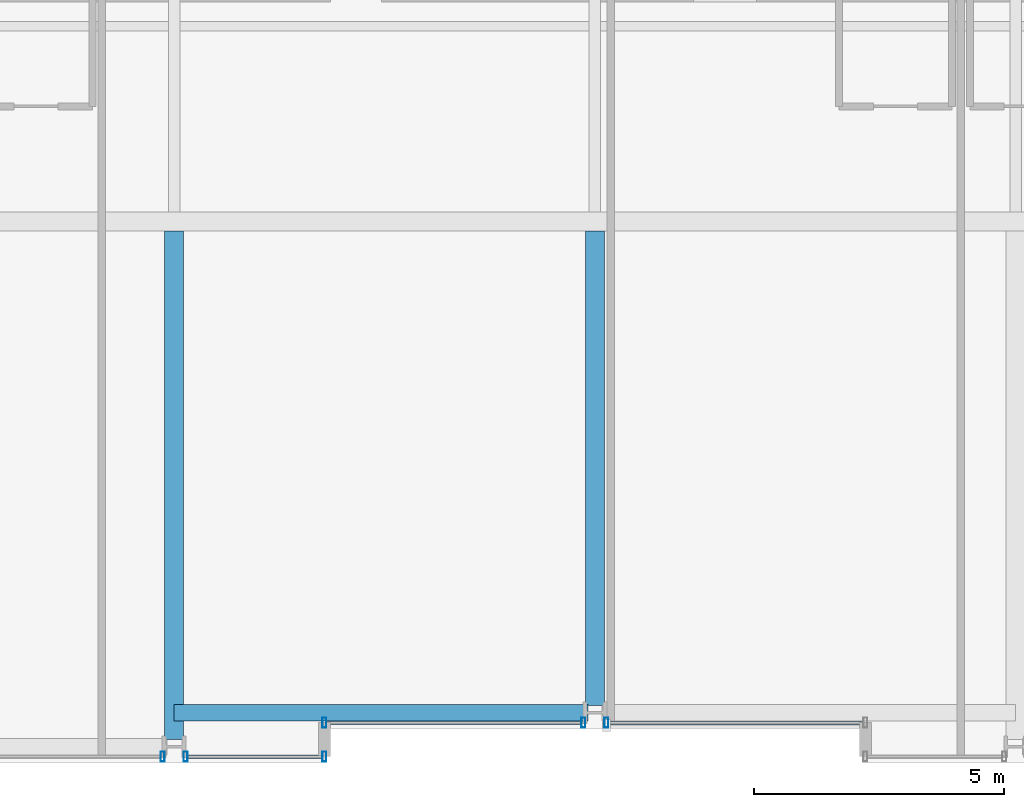
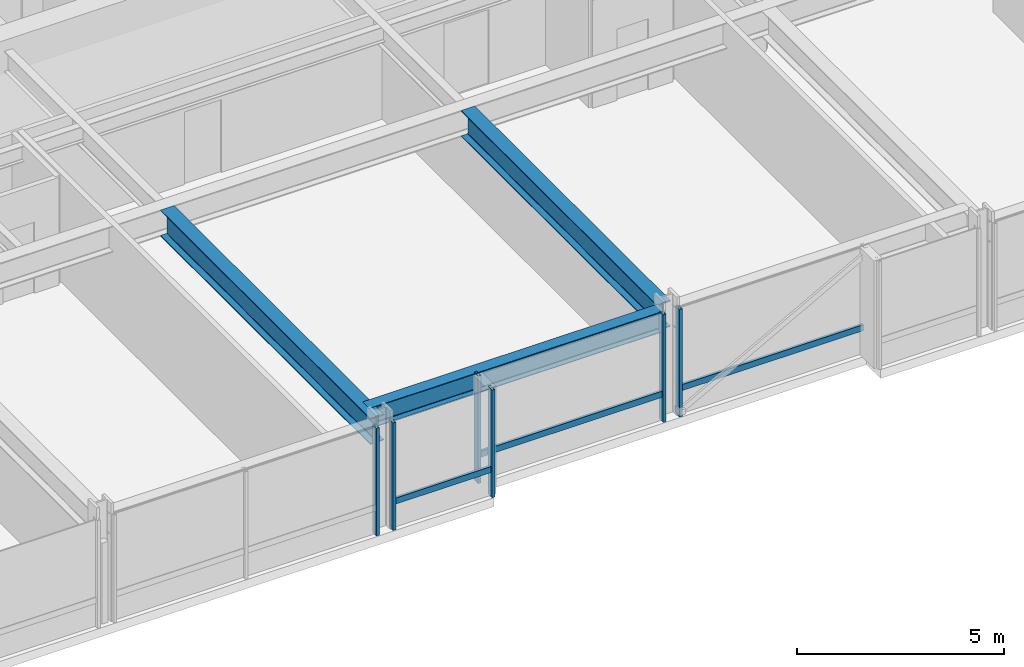
# One storey, part 5 of 37: 9 members, 3 beams, 4 elements without a shape of their own.
"""IFC4 building model written with IfcOpenShell, lengths in metres."""

import ifcopenshell
import ifcopenshell.guid

model = None  # the IFC model being written
_history = None  # IfcOwnerHistory: only IFC2X3 demands one
_inside = {}  # id of a spatial element -> (the spatial element, [elements in it])
_under = {}  # id of a project, library or spatial element -> (it, [spatial elements below it])
_declared = {}  # id of a project -> (the project, [libraries it declares])
_typed = {}  # id of a type object -> (the type object, [elements of that type])
_made_of = {}  # id of a material, layer set ... -> (it, [elements and type objects made of it])


def new_model(schema):
    """Start an empty IFC model of exactly this schema.

    Asked for "IFC4X3", IfcOpenShell would pick the latest addendum, in which some entities
    have other attributes; the version numbers below select the first issue.
    IFC2X3 requires an IfcOwnerHistory on every rooted entity: one is made here for all.
    """
    global model, _history
    if schema == "IFC4X3":
        model = ifcopenshell.file(schema_version=(4, 3, 0, 0))
    else:
        model = ifcopenshell.file(schema=schema)
    _inside.clear()
    _under.clear()
    _declared.clear()
    _typed.clear()
    _made_of.clear()
    _history = None
    if model.schema == "IFC2X3":
        org = make("IfcOrganization", Name="unknown")
        user = make(
            "IfcPersonAndOrganization",
            ThePerson=make("IfcPerson", FamilyName="unknown"),
            TheOrganization=org,
        )
        app = make(
            "IfcApplication",
            ApplicationDeveloper=org,
            Version="unknown",
            ApplicationFullName="unknown",
            ApplicationIdentifier="unknown",
        )
        _history = make(
            "IfcOwnerHistory",
            OwningUser=user,
            OwningApplication=app,
            ChangeAction="ADDED",
            CreationDate=0,
        )
    return model


def make(cls, **values):
    """One entity of the class cls with the attributes given. An attribute that is None is left unset."""
    return model.create_entity(
        cls, **{name: value for name, value in values.items() if value is not None}
    )


def rooted(cls, **values):
    """An entity with a GlobalId (a new one), such as an element, a storey or a relation."""
    return make(cls, GlobalId=ifcopenshell.guid.new(), OwnerHistory=_history, **values)


def si_unit(unit_type, name, prefix=None):
    """IfcSIUnit, for example si_unit("LENGTHUNIT", "METRE", prefix="MILLI")."""
    return make("IfcSIUnit", UnitType=unit_type, Prefix=prefix, Name=name)


def assignment(units):
    """IfcUnitAssignment: the units of a project."""
    return None if units is None else make("IfcUnitAssignment", Units=units)


def point(xyz):
    """IfcCartesianPoint."""
    return None if xyz is None else make("IfcCartesianPoint", Coordinates=xyz)


def direction(xyz):
    """IfcDirection."""
    return None if xyz is None else make("IfcDirection", DirectionRatios=xyz)


def frame(location, z_axis=None, x_axis=None):
    """IfcAxis2Placement3D, a coordinate frame: its origin and axes. An axis left out is left unset."""
    return make(
        "IfcAxis2Placement3D",
        Location=point(location),
        Axis=direction(z_axis),
        RefDirection=direction(x_axis),
    )


def frame_2d(location, x_axis=None):
    """IfcAxis2Placement2D, a coordinate frame in the plane: its origin and x axis."""
    return make(
        "IfcAxis2Placement2D", Location=point(location), RefDirection=direction(x_axis)
    )


def origin():
    """The frame at (0, 0, 0) with its axes left unset."""
    return frame((0.0, 0.0, 0.0))


def origin_2d():
    """The frame at (0, 0) in the plane with its x axis left unset."""
    return frame_2d((0.0, 0.0))


def place(relative_to, where):
    """IfcLocalPlacement: puts the frame where relative to a parent placement (None: the world)."""
    return make(
        "IfcLocalPlacement", PlacementRelTo=relative_to, RelativePlacement=where
    )


def context(
    kind, dimensions, precision=None, world=None, true_north=None, identifier=None
):
    """IfcGeometricRepresentationContext, for example the 3D "Model" context."""
    return make(
        "IfcGeometricRepresentationContext",
        ContextIdentifier=identifier,
        ContextType=kind,
        CoordinateSpaceDimension=dimensions,
        Precision=precision,
        WorldCoordinateSystem=world,
        TrueNorth=true_north,
    )


def subcontext(parent, identifier, kind, view, scale=None):
    """IfcGeometricRepresentationSubContext, for example "Body" below "Model"."""
    return make(
        "IfcGeometricRepresentationSubContext",
        ContextIdentifier=identifier,
        ContextType=kind,
        ParentContext=parent,
        TargetScale=scale,
        TargetView=view,
    )


def project(units=None, contexts=None):
    """IfcProject with its units and contexts."""
    return rooted(
        "IfcProject",
        Name="project",
        RepresentationContexts=contexts,
        UnitsInContext=assignment(units),
    )


def spatial(cls, under=None, at=None, **own):
    """A site, building, storey or space (cls), placed at a placement, below another one or the project."""
    s = rooted(cls, ObjectPlacement=at, **own)
    if under is not None:
        _under.setdefault(under.id(), (under, []))[1].append(s)
    return s


def profile(cls, at=None, kind="AREA", **sizes):
    """A parametric profile (cls). Its sizes go by their IFC names, for example OverallWidth=200.0."""
    return make(cls, ProfileType=kind, Position=at, **sizes)


def hollow_rectangle(**sizes):
    """IfcRectangleHollowProfileDef."""
    return profile("IfcRectangleHollowProfileDef", **sizes)


def i_section(**sizes):
    """IfcIShapeProfileDef."""
    return profile("IfcIShapeProfileDef", **sizes)


def extrude(swept, where, along, depth):
    """IfcExtrudedAreaSolid: the profile swept, set in the frame where, extruded along a direction by depth."""
    return make(
        "IfcExtrudedAreaSolid",
        SweptArea=swept,
        Position=where,
        ExtrudedDirection=direction(along),
        Depth=depth,
    )


def shape(context_of_items, identifier, shape_type, items):
    """IfcShapeRepresentation: the items that make up one representation, for example the "Body"."""
    return make(
        "IfcShapeRepresentation",
        ContextOfItems=context_of_items,
        RepresentationIdentifier=identifier,
        RepresentationType=shape_type,
        Items=items,
    )


def material(Name=None, Category=None):
    """IfcMaterial."""
    return make("IfcMaterial", Name=Name, Category=Category)


def layer(
    of_material, thickness, ventilated=None, Name=None, Category=None, Priority=None
):
    """IfcMaterialLayer: one layer of a wall or slab, of a material (None: an air gap)."""
    return make(
        "IfcMaterialLayer",
        Material=of_material,
        LayerThickness=thickness,
        IsVentilated=ventilated,
        Name=Name,
        Category=Category,
        Priority=Priority,
    )


def layer_set(layers, Name=None):
    """IfcMaterialLayerSet."""
    return make("IfcMaterialLayerSet", MaterialLayers=layers, LayerSetName=Name)


def material_profile(
    of_material, cross_section, Name=None, Category=None, Priority=None
):
    """IfcMaterialProfile: a cross section and its material."""
    return make(
        "IfcMaterialProfile",
        Name=Name,
        Material=of_material,
        Profile=cross_section,
        Priority=Priority,
        Category=Category,
    )


def profile_set(profiles, Name=None, composite=None):
    """IfcMaterialProfileSet."""
    return make(
        "IfcMaterialProfileSet",
        Name=Name,
        MaterialProfiles=profiles,
        CompositeProfile=composite,
    )


def made_of(thing, what):
    """Note that an element or type object is made of a material, layer set ...; save() writes the relation."""
    if what is not None:
        _made_of.setdefault(what.id(), (what, []))[1].append(thing)
    return thing


def type_object(cls, material=None, **own):
    """A type object (cls), such as IfcWallType, which elements share."""
    return made_of(rooted(cls, **own), material)


def element(
    cls,
    number,
    at=None,
    inside=None,
    cuts=None,
    type_object=None,
    material=None,
    context=None,
    identifier="Body",
    shape_type=None,
    held_by="IfcProductDefinitionShape",
    body=None,
    shapes=None,
    **own,
):
    """One element of the class cls, such as IfcWall. Its Tag is "e" and its number.

    at: its placement. inside: the storey or other place that contains it. cuts: it is an
    opening in that element (IfcRelVoidsElement). A single representation is given by context,
    identifier, shape_type and body (its items); several are given by shapes. held_by: the class
    of the entity that holds the representations. save() writes the other relations.
    """
    e = rooted(cls, Tag="e%d" % number, ObjectPlacement=at, **own)
    if body is not None:
        shapes = [shape(context, identifier, shape_type, body)]
    if shapes is not None:
        e.Representation = make(held_by, Representations=shapes)
    if inside is not None:
        _inside.setdefault(inside.id(), (inside, []))[1].append(e)
    if cuts is not None:
        rooted(
            "IfcRelVoidsElement", RelatingBuildingElement=cuts, RelatedOpeningElement=e
        )
    if type_object is not None:
        _typed.setdefault(type_object.id(), (type_object, []))[1].append(e)
    return made_of(e, material)


def aggregate(whole, parts):
    """IfcRelAggregates: a whole, such as a stair, and the parts it consists of."""
    return rooted("IfcRelAggregates", RelatingObject=whole, RelatedObjects=parts)


def save(model, path):
    """Write the relations noted so far, then the file.

    IfcRelAggregates (storeys below a building ...), IfcRelContainedInSpatialStructure (elements
    in a storey), IfcRelDefinesByType, IfcRelAssociatesMaterial and IfcRelDeclares: one each for
    every whole, place, type object, material and project.
    """
    for whole, parts in _under.values():
        aggregate(whole, parts)
    for where, things in _inside.values():
        rooted(
            "IfcRelContainedInSpatialStructure",
            RelatedElements=things,
            RelatingStructure=where,
        )
    for kind, things in _typed.values():
        rooted("IfcRelDefinesByType", RelatedObjects=things, RelatingType=kind)
    for what, things in _made_of.values():
        rooted("IfcRelAssociatesMaterial", RelatedObjects=things, RelatingMaterial=what)
    for by, libraries in _declared.values():
        rooted("IfcRelDeclares", RelatingContext=by, RelatedDefinitions=libraries)
    model.write(path)


model = new_model("IFC4")

# Units and contexts
model_context = context("Model", 3, precision=1e-05, world=origin(), true_north=direction((0.0, 1.0)))
body_context = subcontext(model_context, "Body", "Model", "MODEL_VIEW")
ifc_project = project(units=[si_unit("LENGTHUNIT", "METRE"), si_unit("AREAUNIT", "SQUARE_METRE"), si_unit("VOLUMEUNIT", "CUBIC_METRE"), si_unit("PLANEANGLEUNIT", "RADIAN"), si_unit("MASSUNIT", "GRAM", prefix="KILO")], contexts=[model_context])

# Site, building, storey
site_placement = place(None, origin())
site = spatial("IfcSite", under=ifc_project, at=site_placement, CompositionType="ELEMENT")
building_placement = place(site_placement, origin())
building = spatial("IfcBuilding", under=site, at=building_placement, Name="Drelvath Grand Hotel", CompositionType="ELEMENT")
storey_placement = place(building_placement, frame((0.0, 0.0, 78.699951171875)))
storey = spatial("IfcBuildingStorey", under=building, at=storey_placement, Name="L19", CompositionType="ELEMENT", Elevation=78.699951171875)

# Curtain wall, member
ifc_material_1 = material(Name="Warm Bronze Anodised Aluminium Frame", Category="aluminium")
ifc_layer = layer(ifc_material_1, 0.199951171875)
ifc_layer_set = layer_set([ifc_layer], Name="Warm Bronze Anodised Aluminium Frame")
curtain_wall_type = type_object("IfcCurtainWallType", Name="Stick Curtain Wall CW-02 Warm Bronze Low-Rise", PredefinedType="NOTDEFINED", material=ifc_layer_set)
curtain_wall_1_placement = place(storey_placement, origin())
curtain_wall_1 = element("IfcCurtainWall", 1, at=curtain_wall_1_placement, inside=storey, type_object=curtain_wall_type, Name="L19 CW-02 Curtain Wall CW02-L19-SM1", PredefinedType="NOTDEFINED")
ifc_material_profile_1 = material_profile(ifc_material_1, hollow_rectangle(XDim=0.074951171875, YDim=0.179931640625, WallThickness=0.0048828125, at=origin_2d()), Name="HSS180X75X5")
ifc_profile_set_1 = profile_set([ifc_material_profile_1], Name="Warm Bronze Anodised Aluminium Frame")
member_type_1 = type_object("IfcMemberType", Name="Curtain Wall Horizontal Transom CW-02 HSS180X75X5", PredefinedType="USERDEFINED", material=ifc_profile_set_1)
member_1_placement = place(storey_placement, frame((-0.26904296875, 0.800048828125, 0.795166015625), z_axis=(-1.0, 0.0, 0.0), x_axis=(0.0, -1.0, 0.0)))
member_1 = element("IfcMember", 2, at=member_1_placement, type_object=member_type_1, Name="CW02-L19-SM1 Sill Transom", ObjectType="TRANSOM", PredefinedType="USERDEFINED", context=body_context, shape_type="SweptSolid", body=[
    extrude(hollow_rectangle(XDim=0.074951171875, YDim=0.179931640625, WallThickness=0.0048828125, at=origin_2d()), origin(), (0.0, 0.0, 1.0), 5.091064453125),
])

curtain_wall_2_placement = place(storey_placement, origin())
curtain_wall_2 = element("IfcCurtainWall", 3, at=curtain_wall_2_placement, inside=storey, type_object=curtain_wall_type, Name="L19 CW-02 Curtain Wall CW02-L19-SM2", PredefinedType="NOTDEFINED")
member_2_placement = place(storey_placement, frame((5.360107421875, 0.800048828125, 0.795166015625), z_axis=(-1.0, 0.0, 0.0), x_axis=(0.0, -1.0, 0.0)))
member_2 = element("IfcMember", 4, at=member_2_placement, type_object=member_type_1, Name="CW02-L19-SM2 Sill Transom", ObjectType="TRANSOM", PredefinedType="USERDEFINED", context=body_context, shape_type="SweptSolid", body=[
    extrude(hollow_rectangle(XDim=0.074951171875, YDim=0.179931640625, WallThickness=0.0048828125, at=origin_2d()), origin(), (0.0, 0.0, 1.0), 5.091064453125),
])

curtain_wall_3_placement = place(storey_placement, origin())
curtain_wall_3 = element("IfcCurtainWall", 5, at=curtain_wall_3_placement, inside=storey, type_object=curtain_wall_type, Name="L19 CW-02 Curtain Wall CW02-L19-SW3", PredefinedType="NOTDEFINED")
member_3_placement = place(storey_placement, frame((-5.43994140625, 0.1201171875, 0.795166015625), z_axis=(-1.0, 0.0, 0.0), x_axis=(0.0, -1.0, 0.0)))
member_3 = element("IfcMember", 6, at=member_3_placement, type_object=member_type_1, Name="CW02-L19-SW3 Sill Transom", ObjectType="TRANSOM", PredefinedType="USERDEFINED", context=body_context, shape_type="SweptSolid", body=[
    extrude(hollow_rectangle(XDim=0.074951171875, YDim=0.179931640625, WallThickness=0.0048828125, at=origin_2d()), origin(), (0.0, 0.0, 1.0), 2.69091796875),
])

# Member
ifc_material_profile_2 = material_profile(ifc_material_1, hollow_rectangle(XDim=0.080078125, YDim=0.199951171875, WallThickness=0.0048828125, at=origin_2d()), Name="HSS200X80X5")
ifc_profile_set_2 = profile_set([ifc_material_profile_2], Name="Warm Bronze Anodised Aluminium Frame")
member_type_2 = type_object("IfcMemberType", Name="Curtain Wall Vertical Mullion CW-02 HSS200X80X5", PredefinedType="MULLION", material=ifc_profile_set_2)
member_4_placement = place(storey_placement, frame((-0.22900390625, 0.800048828125, 0.0), z_axis=(0.0, 0.0, 1.0), x_axis=(1.0, 0.0, 0.0)))
member_4 = element("IfcMember", 7, at=member_4_placement, type_object=member_type_2, Name="CW02-L19-SM1 Mullion 1", PredefinedType="MULLION", context=body_context, shape_type="SweptSolid", body=[
    extrude(hollow_rectangle(XDim=0.080078125, YDim=0.199951171875, WallThickness=0.0048828125, at=origin_2d()), origin(), (0.0, 0.0, 1.0), 3.179931640625),
])

member_5_placement = place(storey_placement, frame((-5.39990234375, 0.800048828125, 0.0), z_axis=(0.0, 0.0, 1.0), x_axis=(1.0, 0.0, 0.0)))
member_5 = element("IfcMember", 8, at=member_5_placement, type_object=member_type_2, Name="CW02-L19-SM1 Mullion 2", PredefinedType="MULLION", context=body_context, shape_type="SweptSolid", body=[
    extrude(hollow_rectangle(XDim=0.080078125, YDim=0.199951171875, WallThickness=0.0048828125, at=origin_2d()), origin(), (0.0, 0.0, 1.0), 3.179931640625),
])

aggregate(curtain_wall_1, [member_4, member_5, member_1])

member_6_placement = place(storey_placement, frame((0.22900390625, 0.800048828125, 0.0), z_axis=(0.0, 0.0, 1.0), x_axis=(1.0, 0.0, 0.0)))
member_6 = element("IfcMember", 9, at=member_6_placement, type_object=member_type_2, Name="CW02-L19-SM2 Mullion 2", PredefinedType="MULLION", context=body_context, shape_type="SweptSolid", body=[
    extrude(hollow_rectangle(XDim=0.080078125, YDim=0.199951171875, WallThickness=0.0048828125, at=origin_2d()), origin(), (0.0, 0.0, 1.0), 3.179931640625),
])

aggregate(curtain_wall_2, [member_6, member_2])

# Curtain wall, member
curtain_wall_4_placement = place(storey_placement, origin())
curtain_wall_4 = element("IfcCurtainWall", 10, at=curtain_wall_4_placement, inside=storey, type_object=curtain_wall_type, Name="L19 CW-02 Curtain Wall CW02-L19-SW2", PredefinedType="NOTDEFINED")
member_7_placement = place(storey_placement, frame((-8.629150390625, 0.1201171875, 0.0), z_axis=(0.0, 0.0, 1.0), x_axis=(1.0, 0.0, 0.0)))
member_7 = element("IfcMember", 11, at=member_7_placement, type_object=member_type_2, Name="CW02-L19-SW2 Mullion 1", PredefinedType="MULLION", context=body_context, shape_type="SweptSolid", body=[
    extrude(hollow_rectangle(XDim=0.080078125, YDim=0.199951171875, WallThickness=0.0048828125, at=origin_2d()), origin(), (0.0, 0.0, 1.0), 3.179931640625),
])
aggregate(curtain_wall_4, [member_7])

# Member
member_8_placement = place(storey_placement, frame((-5.39990234375, 0.1201171875, 0.0), z_axis=(0.0, 0.0, 1.0), x_axis=(1.0, 0.0, 0.0)))
member_8 = element("IfcMember", 12, at=member_8_placement, type_object=member_type_2, Name="CW02-L19-SW3 Mullion 1", PredefinedType="MULLION", context=body_context, shape_type="SweptSolid", body=[
    extrude(hollow_rectangle(XDim=0.080078125, YDim=0.199951171875, WallThickness=0.0048828125, at=origin_2d()), origin(), (0.0, 0.0, 1.0), 3.179931640625),
])

member_9_placement = place(storey_placement, frame((-8.1708984375, 0.1201171875, 0.0), z_axis=(0.0, 0.0, 1.0), x_axis=(1.0, 0.0, 0.0)))
member_9 = element("IfcMember", 13, at=member_9_placement, type_object=member_type_2, Name="CW02-L19-SW3 Mullion 2", PredefinedType="MULLION", context=body_context, shape_type="SweptSolid", body=[
    extrude(hollow_rectangle(XDim=0.080078125, YDim=0.199951171875, WallThickness=0.0048828125, at=origin_2d()), origin(), (0.0, 0.0, 1.0), 3.179931640625),
])

aggregate(curtain_wall_3, [member_8, member_9, member_3])

# Beams
ifc_material_2 = material(Name="Steel ASTM A992 Gr 50", Category="steel")
ifc_material_profile_3 = material_profile(ifc_material_2, i_section(OverallWidth=0.323974609375, OverallDepth=0.611083984375, WebThickness=0.0126953125, FlangeThickness=0.01904296875, FilletRadius=0.02197265625, at=origin_2d()), Name="W24X104")
ifc_profile_set_3 = profile_set([ifc_material_profile_3], Name="Steel ASTM A992 Gr 50")
beam_type_1 = type_object("IfcBeamType", Name="Perimeter Spandrel Beam W24X104", PredefinedType="SPANDREL", material=ifc_profile_set_3)
beam_1_placement = place(storey_placement, frame((-8.39990234375, 1.0, 2.87451171875), z_axis=(1.0, 0.0, 0.0), x_axis=(0.0, 1.0, 0.0)))
element("IfcBeam", 14, at=beam_1_placement, inside=storey, type_object=beam_type_1, Name="L19 Spandrel South Mid W", PredefinedType="SPANDREL", context=body_context, shape_type="SweptSolid", body=[
    extrude(i_section(OverallWidth=0.323974609375, OverallDepth=0.611083984375, WebThickness=0.0126953125, FlangeThickness=0.01904296875, FilletRadius=0.02197265625, at=origin_2d()), origin(), (0.0, 0.0, 1.0), 8.260009765625),
])
ifc_material_profile_4 = material_profile(ifc_material_2, i_section(OverallWidth=0.380615234375, OverallDepth=0.773193359375, WebThickness=0.0166015625, FlangeThickness=0.027099609375, FilletRadius=0.02490234375, at=origin_2d()), Name="W30X173")
ifc_profile_set_4 = profile_set([ifc_material_profile_4], Name="Steel ASTM A992 Gr 50")
beam_type_2 = type_object("IfcBeamType", Name="Primary Floor Girder W30X173", PredefinedType="BEAM", material=ifc_profile_set_4)
beam_2_placement = place(storey_placement, frame((-8.39990234375, 0.4599609375, 2.79345703125), z_axis=(0.0, 1.0, 0.0), x_axis=(-1.0, 0.0, 0.0)))
element("IfcBeam", 15, at=beam_2_placement, inside=storey, type_object=beam_type_2, Name="L19 South Wing Girder 4", PredefinedType="BEAM", context=body_context, shape_type="SweptSolid", body=[
    extrude(i_section(OverallWidth=0.380615234375, OverallDepth=0.773193359375, WebThickness=0.0166015625, FlangeThickness=0.027099609375, FilletRadius=0.02490234375, at=origin_2d()), origin(), (0.0, 0.0, 1.0), 10.149658203125),
])
beam_3_placement = place(storey_placement, frame((0.0, 1.139892578125, 2.79345703125), z_axis=(0.0, 1.0, 0.0), x_axis=(-1.0, 0.0, 0.0)))
element("IfcBeam", 16, at=beam_3_placement, inside=storey, type_object=beam_type_2, Name="L19 South Wing Girder 5", PredefinedType="BEAM", context=body_context, shape_type="SweptSolid", body=[
    extrude(i_section(OverallWidth=0.380615234375, OverallDepth=0.773193359375, WebThickness=0.0166015625, FlangeThickness=0.027099609375, FilletRadius=0.02490234375, at=origin_2d()), origin(), (0.0, 0.0, 1.0), 9.4697265625),
])

save(model, "model.ifc")
